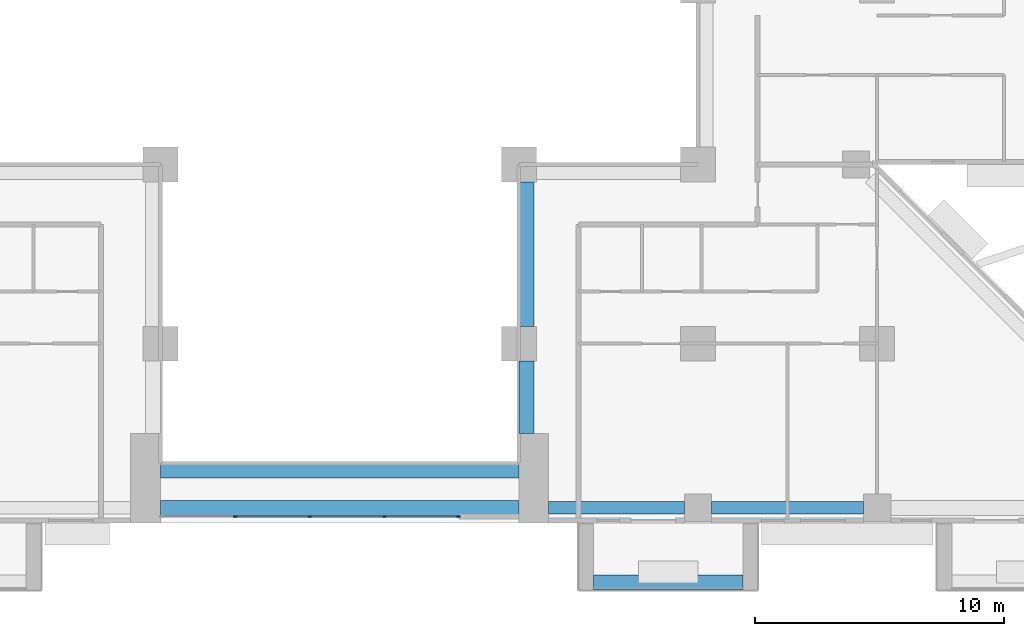
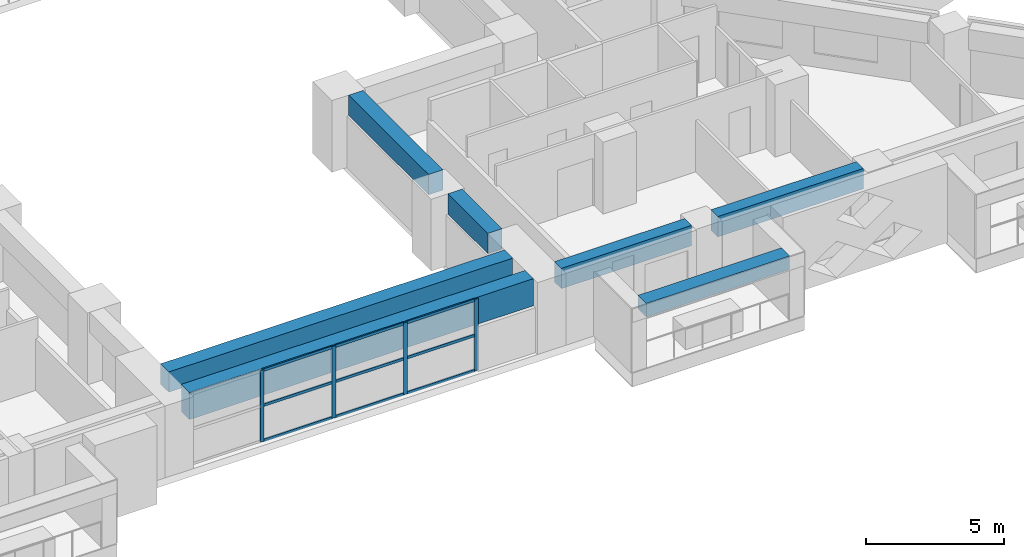
# One storey, part 4 of 17: 13 members, 7 beams, 1 element without a shape of its own.
"""IFC4 building model written with IfcOpenShell, lengths in metres."""

from ifc_helpers import new_model, si_unit, direction, frame, origin, origin_2d, place, context, subcontext, project, spatial, rectangle, extrude, source, transform, mapped, material, layer, layer_set, material_profile, profile_set, type_object, element, aggregate, save


model = new_model("IFC4")

# Units and contexts
model_context = context("Model", 3, precision=1e-05, world=origin(), true_north=direction((0.0, 1.0)))
body_context = subcontext(model_context, "Body", "Model", "MODEL_VIEW")
ifc_project = project(units=[si_unit("LENGTHUNIT", "METRE"), si_unit("AREAUNIT", "SQUARE_METRE"), si_unit("VOLUMEUNIT", "CUBIC_METRE"), si_unit("PLANEANGLEUNIT", "RADIAN"), si_unit("MASSUNIT", "GRAM", prefix="KILO")], contexts=[model_context])

# Site, building, storey
site_placement = place(None, origin())
site = spatial("IfcSite", under=ifc_project, at=site_placement, CompositionType="ELEMENT")
building_placement = place(site_placement, origin())
building = spatial("IfcBuilding", under=site, at=building_placement, Name="Saffron Iwan Residences", CompositionType="ELEMENT")
storey_placement = place(building_placement, frame((0.0, 0.0, 58.5)))
storey = spatial("IfcBuildingStorey", under=building, at=storey_placement, Name="L14", CompositionType="ELEMENT", Elevation=58.5)

# Beams
ifc_material_1 = material(Name="Concrete C60/75", Category="concrete")
ifc_material_profile_1 = material_profile(ifc_material_1, rectangle(XDim=0.5, YDim=0.89990234375, at=origin_2d()), Name="RC 500x900")
ifc_profile_set_1 = profile_set([ifc_material_profile_1], Name="Concrete C60/75")
beam_type_1 = type_object("IfcBeamType", Name="SPANDREL BEAM RC 500x900 C60/75 TOP 3180", PredefinedType="SPANDREL", material=ifc_profile_set_1)
shared_shape_1 = source(origin(), body_context, "Body", "SweptSolid", [
    extrude(rectangle(XDim=0.5, YDim=0.89990234375, at=origin_2d()), origin(), (0.0, 0.0, 1.0), 6.099853515625),
])
beam_1_placement = place(storey_placement, frame((71.449951171875, 34.199951171875, 2.72998046875), z_axis=(-1.0, 0.0, 0.0), x_axis=(0.0, -1.0, 0.0)))
element("IfcBeam", 1, at=beam_1_placement, inside=storey, type_object=beam_type_1, Name="Spandrel beam", PredefinedType="SPANDREL", context=body_context, shape_type="MappedRepresentation", body=[
    mapped(shared_shape_1, transform((0.0, 0.0, 0.0))),
])
shared_shape_2 = source(origin(), body_context, "Body", "SweptSolid", [
    extrude(rectangle(XDim=0.5, YDim=0.89990234375, at=origin_2d()), origin(), (0.0, 0.0, 1.0), 5.449951171875),
])
beam_2_placement = place(storey_placement, frame((64.25, 34.199951171875, 2.72998046875), z_axis=(-1.0, 0.0, 0.0), x_axis=(0.0, -1.0, 0.0)))
element("IfcBeam", 2, at=beam_2_placement, inside=storey, type_object=beam_type_1, Name="Spandrel beam", PredefinedType="SPANDREL", context=body_context, shape_type="MappedRepresentation", body=[
    mapped(shared_shape_2, transform((0.0, 0.0, 0.0))),
])
ifc_material_profile_2 = material_profile(ifc_material_1, rectangle(XDim=0.60009765625, YDim=1.199951171875, at=origin_2d()), Name="RC 600x1200")
ifc_profile_set_2 = profile_set([ifc_material_profile_2], Name="Concrete C60/75")
beam_type_2 = type_object("IfcBeamType", Name="LINTEL BEAM RC 600x1200 C60/75 TOP 3180", PredefinedType="LINTEL", material=ifc_profile_set_2)
shared_shape_3 = source(origin(), body_context, "Body", "SweptSolid", [
    extrude(rectangle(XDim=0.60009765625, YDim=1.199951171875, at=origin_2d()), origin(), (0.0, 0.0, 1.0), 14.400146484375),
])
beam_3_placement = place(storey_placement, frame((57.60009765625, 34.199951171875, 2.580078125), z_axis=(-1.0, 0.0, 0.0), x_axis=(0.0, -1.0, 0.0)))
element("IfcBeam", 3, at=beam_3_placement, inside=storey, type_object=beam_type_2, Name="Lintel beam over the iwan", PredefinedType="LINTEL", context=body_context, shape_type="MappedRepresentation", body=[
    mapped(shared_shape_3, transform((0.0, 0.0, 0.0))),
])
ifc_material_profile_3 = material_profile(ifc_material_1, rectangle(XDim=0.60009765625, YDim=0.89990234375, at=origin_2d()), Name="RC 600x900")
ifc_profile_set_3 = profile_set([ifc_material_profile_3], Name="Concrete C60/75")
beam_type_3 = type_object("IfcBeamType", Name="BEAM RC 600x900 C60/75 TOP 3180", PredefinedType="BEAM", material=ifc_profile_set_3)
shared_shape_4 = source(origin(), body_context, "Body", "SweptSolid", [
    extrude(rectangle(XDim=0.60009765625, YDim=0.89990234375, at=origin_2d()), origin(), (0.0, 0.0, 1.0), 14.400146484375),
])
beam_4_placement = place(storey_placement, frame((57.60009765625, 35.699951171875, 2.72998046875), z_axis=(-1.0, 0.0, 0.0), x_axis=(0.0, -1.0, 0.0)))
element("IfcBeam", 4, at=beam_4_placement, inside=storey, type_object=beam_type_3, Name="Atrium edge beam", PredefinedType="BEAM", context=body_context, shape_type="MappedRepresentation", body=[
    mapped(shared_shape_4, transform((0.0, 0.0, 0.0))),
])
shared_shape_5 = source(origin(), body_context, "Body", "SweptSolid", [
    extrude(rectangle(XDim=0.60009765625, YDim=0.89990234375, at=origin_2d()), origin(), (0.0, 0.0, 1.0), 2.900146484375),
])
beam_5_placement = place(storey_placement, frame((57.89990234375, 40.10009765625, 2.72998046875), z_axis=(0.0, -1.0, 0.0), x_axis=(1.0, 0.0, 0.0)))
element("IfcBeam", 5, at=beam_5_placement, inside=storey, type_object=beam_type_3, Name="Atrium edge beam", PredefinedType="BEAM", context=body_context, shape_type="MappedRepresentation", body=[
    mapped(shared_shape_5, transform((0.0, 0.0, 0.0))),
])
shared_shape_6 = source(origin(), body_context, "Body", "SweptSolid", [
    extrude(rectangle(XDim=0.60009765625, YDim=0.89990234375, at=origin_2d()), origin(), (0.0, 0.0, 1.0), 5.800048828125),
])
beam_6_placement = place(storey_placement, frame((57.89990234375, 47.300048828125, 2.72998046875), z_axis=(0.0, -1.0, 0.0), x_axis=(1.0, 0.0, 0.0)))
element("IfcBeam", 6, at=beam_6_placement, inside=storey, type_object=beam_type_3, Name="Atrium edge beam", PredefinedType="BEAM", context=body_context, shape_type="MappedRepresentation", body=[
    mapped(shared_shape_6, transform((0.0, 0.0, 0.0))),
])

# Curtain wall, members
ifc_material_2 = material(Name="Clear glass, laminated double glazed", Category="glass")
ifc_layer = layer(ifc_material_2, 0.199951171875)
ifc_layer_set = layer_set([ifc_layer], Name="Clear glass, laminated double glazed")
curtain_wall_type = type_object("IfcCurtainWallType", Name="CW-B IWAN PORTAL", PredefinedType="NOTDEFINED", material=ifc_layer_set)
curtain_wall_placement = place(storey_placement, origin())
curtain_wall = element("IfcCurtainWall", 7, at=curtain_wall_placement, inside=storey, type_object=curtain_wall_type, Name="Iwan portal glazing L14.1", PredefinedType="NOTDEFINED")
ifc_material_3 = material(Name="Aluminium 6063-T6", Category="aluminium")
ifc_material_profile_4 = material_profile(ifc_material_3, rectangle(XDim=0.06005859375, YDim=0.159912109375, at=origin_2d()), Name="CW-B MULLION 60 x 160")
ifc_profile_set_4 = profile_set([ifc_material_profile_4], Name="Aluminium 6063-T6")
member_type_1 = type_object("IfcMemberType", Name="CW-B MULLION 60 x 160", PredefinedType="MULLION", material=ifc_profile_set_4)
shared_shape_7 = source(origin(), body_context, "Body", "SweptSolid", [
    extrude(rectangle(XDim=0.06005859375, YDim=0.159912109375, at=origin_2d()), origin(), (0.0, 0.0, 1.0), 3.179931640625),
])
member_1_placement = place(storey_placement, frame((46.199951171875, 33.85009765625, 0.0), z_axis=(0.0, 0.0, 1.0), x_axis=(0.0, 1.0, 0.0)))
member_1 = element("IfcMember", 8, at=member_1_placement, type_object=member_type_1, Name="CW-B mullion 2", PredefinedType="MULLION", context=body_context, shape_type="MappedRepresentation", body=[
    mapped(shared_shape_7, transform((0.0, 0.0, 0.0))),
])
member_2_placement = place(storey_placement, frame((49.199951171875, 33.85009765625, 0.0), z_axis=(0.0, 0.0, 1.0), x_axis=(0.0, 1.0, 0.0)))
member_2 = element("IfcMember", 9, at=member_2_placement, type_object=member_type_1, Name="CW-B mullion 3", PredefinedType="MULLION", context=body_context, shape_type="MappedRepresentation", body=[
    mapped(shared_shape_7, transform((0.0, 0.0, 0.0))),
])
member_3_placement = place(storey_placement, frame((52.199951171875, 33.85009765625, 0.0), z_axis=(0.0, 0.0, 1.0), x_axis=(0.0, 1.0, 0.0)))
member_3 = element("IfcMember", 10, at=member_3_placement, type_object=member_type_1, Name="CW-B mullion 4", PredefinedType="MULLION", context=body_context, shape_type="MappedRepresentation", body=[
    mapped(shared_shape_7, transform((0.0, 0.0, 0.0))),
])
member_4_placement = place(storey_placement, frame((55.169921875, 33.85009765625, 0.0), z_axis=(0.0, 0.0, 1.0), x_axis=(0.0, 1.0, 0.0)))
member_4 = element("IfcMember", 11, at=member_4_placement, type_object=member_type_1, Name="CW-B mullion 5", PredefinedType="MULLION", context=body_context, shape_type="MappedRepresentation", body=[
    mapped(shared_shape_7, transform((0.0, 0.0, 0.0))),
])
ifc_material_profile_5 = material_profile(ifc_material_3, rectangle(XDim=0.06005859375, YDim=0.1201171875, at=origin_2d()), Name="CW-B TRANSOM 60 x 120")
ifc_profile_set_5 = profile_set([ifc_material_profile_5], Name="Aluminium 6063-T6")
member_type_2 = type_object("IfcMemberType", Name="CW-B TRANSOM 60 x 120", PredefinedType="USERDEFINED", material=ifc_profile_set_5)
shared_shape_8 = source(origin(), body_context, "Body", "SweptSolid", [
    extrude(rectangle(XDim=0.06005859375, YDim=0.1201171875, at=origin_2d()), origin(), (0.0, 0.0, 1.0), 2.909912109375),
])
member_5_placement = place(storey_placement, frame((52.22998046875, 33.85009765625, 0.030029296875), z_axis=(1.0, 0.0, 0.0), x_axis=(0.0, 1.0, 0.0)))
member_5 = element("IfcMember", 12, at=member_5_placement, type_object=member_type_2, Name="CW-B transom 4.1", ObjectType="TRANSOM", PredefinedType="USERDEFINED", context=body_context, shape_type="MappedRepresentation", body=[
    mapped(shared_shape_8, transform((0.0, 0.0, 0.0))),
])
member_6_placement = place(storey_placement, frame((52.22998046875, 33.85009765625, 1.590087890625), z_axis=(1.0, 0.0, 0.0), x_axis=(0.0, 1.0, 0.0)))
member_6 = element("IfcMember", 13, at=member_6_placement, type_object=member_type_2, Name="CW-B transom 4.2", ObjectType="TRANSOM", PredefinedType="USERDEFINED", context=body_context, shape_type="MappedRepresentation", body=[
    mapped(shared_shape_8, transform((0.0, 0.0, 0.0))),
])
member_7_placement = place(storey_placement, frame((52.22998046875, 33.85009765625, 3.14990234375), z_axis=(1.0, 0.0, 0.0), x_axis=(0.0, 1.0, 0.0)))
member_7 = element("IfcMember", 14, at=member_7_placement, type_object=member_type_2, Name="CW-B transom 4.3", ObjectType="TRANSOM", PredefinedType="USERDEFINED", context=body_context, shape_type="MappedRepresentation", body=[
    mapped(shared_shape_8, transform((0.0, 0.0, 0.0))),
])
shared_shape_9 = source(origin(), body_context, "Body", "SweptSolid", [
    extrude(rectangle(XDim=0.06005859375, YDim=0.1201171875, at=origin_2d()), origin(), (0.0, 0.0, 1.0), 2.93994140625),
])
member_8_placement = place(storey_placement, frame((46.22998046875, 33.85009765625, 0.030029296875), z_axis=(1.0, 0.0, 0.0), x_axis=(0.0, 1.0, 0.0)))
member_8 = element("IfcMember", 15, at=member_8_placement, type_object=member_type_2, Name="CW-B transom 2.1", ObjectType="TRANSOM", PredefinedType="USERDEFINED", context=body_context, shape_type="MappedRepresentation", body=[
    mapped(shared_shape_9, transform((0.0, 0.0, 0.0))),
])
member_9_placement = place(storey_placement, frame((46.22998046875, 33.85009765625, 1.590087890625), z_axis=(1.0, 0.0, 0.0), x_axis=(0.0, 1.0, 0.0)))
member_9 = element("IfcMember", 16, at=member_9_placement, type_object=member_type_2, Name="CW-B transom 2.2", ObjectType="TRANSOM", PredefinedType="USERDEFINED", context=body_context, shape_type="MappedRepresentation", body=[
    mapped(shared_shape_9, transform((0.0, 0.0, 0.0))),
])
member_10_placement = place(storey_placement, frame((46.22998046875, 33.85009765625, 3.14990234375), z_axis=(1.0, 0.0, 0.0), x_axis=(0.0, 1.0, 0.0)))
member_10 = element("IfcMember", 17, at=member_10_placement, type_object=member_type_2, Name="CW-B transom 2.3", ObjectType="TRANSOM", PredefinedType="USERDEFINED", context=body_context, shape_type="MappedRepresentation", body=[
    mapped(shared_shape_9, transform((0.0, 0.0, 0.0))),
])
member_11_placement = place(storey_placement, frame((49.22998046875, 33.85009765625, 0.030029296875), z_axis=(1.0, 0.0, 0.0), x_axis=(0.0, 1.0, 0.0)))
member_11 = element("IfcMember", 18, at=member_11_placement, type_object=member_type_2, Name="CW-B transom 3.1", ObjectType="TRANSOM", PredefinedType="USERDEFINED", context=body_context, shape_type="MappedRepresentation", body=[
    mapped(shared_shape_9, transform((0.0, 0.0, 0.0))),
])
member_12_placement = place(storey_placement, frame((49.22998046875, 33.85009765625, 1.590087890625), z_axis=(1.0, 0.0, 0.0), x_axis=(0.0, 1.0, 0.0)))
member_12 = element("IfcMember", 19, at=member_12_placement, type_object=member_type_2, Name="CW-B transom 3.2", ObjectType="TRANSOM", PredefinedType="USERDEFINED", context=body_context, shape_type="MappedRepresentation", body=[
    mapped(shared_shape_9, transform((0.0, 0.0, 0.0))),
])
member_13_placement = place(storey_placement, frame((49.22998046875, 33.85009765625, 3.14990234375), z_axis=(1.0, 0.0, 0.0), x_axis=(0.0, 1.0, 0.0)))
member_13 = element("IfcMember", 20, at=member_13_placement, type_object=member_type_2, Name="CW-B transom 3.3", ObjectType="TRANSOM", PredefinedType="USERDEFINED", context=body_context, shape_type="MappedRepresentation", body=[
    mapped(shared_shape_9, transform((0.0, 0.0, 0.0))),
])
aggregate(curtain_wall, [member_1, member_2, member_3, member_4, member_8, member_9, member_10, member_11, member_12, member_13, member_5, member_6, member_7])

# Beam
ifc_material_4 = material(Name="Concrete C50/60 white painted", Category="concrete")
ifc_material_profile_6 = material_profile(ifc_material_4, rectangle(XDim=0.60009765625, YDim=0.60009765625, at=origin_2d()), Name="BALCONY FASCIA BEAM 600 x 600")
ifc_profile_set_6 = profile_set([ifc_material_profile_6], Name="Concrete C50/60 white painted")
beam_type_4 = type_object("IfcBeamType", Name="BALCONY FASCIA BEAM 600 x 600", PredefinedType="BEAM", material=ifc_profile_set_6)
shared_shape_10 = source(origin(), body_context, "Body", "SweptSolid", [
    extrude(rectangle(XDim=0.60009765625, YDim=0.60009765625, at=origin_2d()), origin(), (0.0, 0.0, 1.0), 6.0),
])
beam_7_placement = place(storey_placement, frame((60.60009765625, 31.199951171875, 2.550048828125), z_axis=(1.0, 0.0, 0.0), x_axis=(0.0, 1.0, 0.0)))
element("IfcBeam", 21, at=beam_7_placement, inside=storey, type_object=beam_type_4, Name="Balcony fascia beam L14 11-1", PredefinedType="BEAM", context=body_context, shape_type="MappedRepresentation", body=[
    mapped(shared_shape_10, transform((0.0, 0.0, 0.0))),
])

save(model, "model.ifc")
